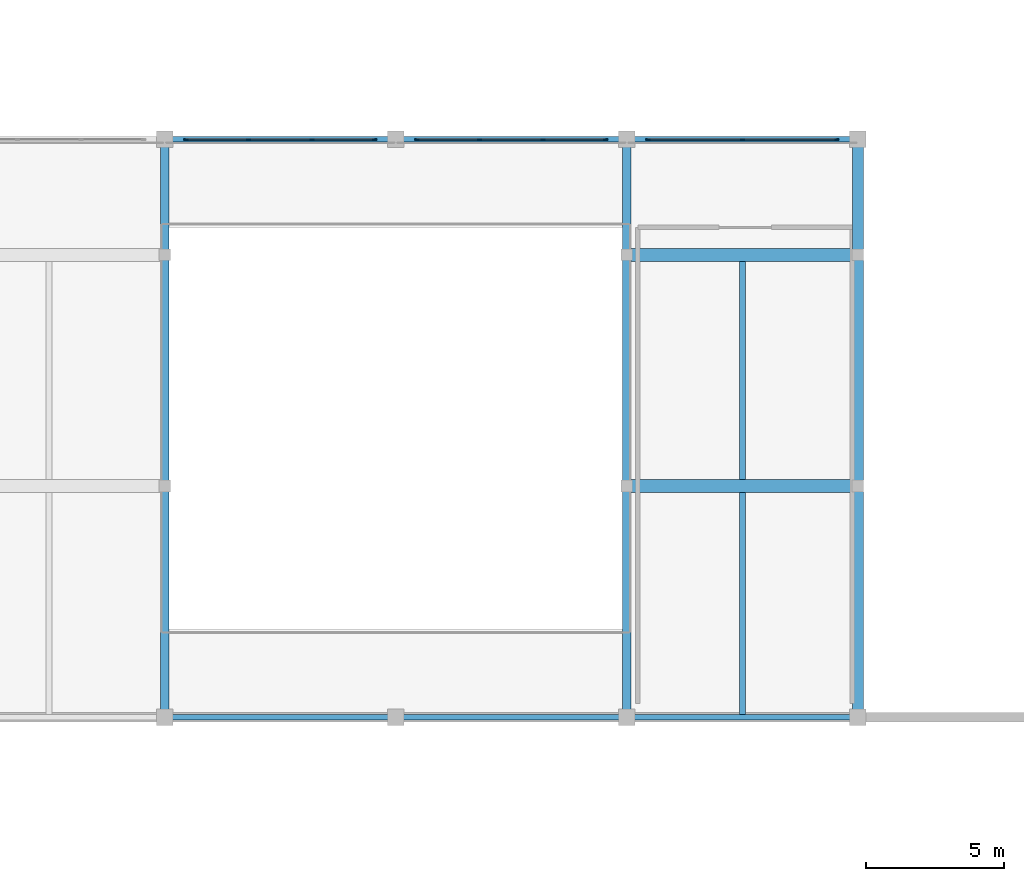
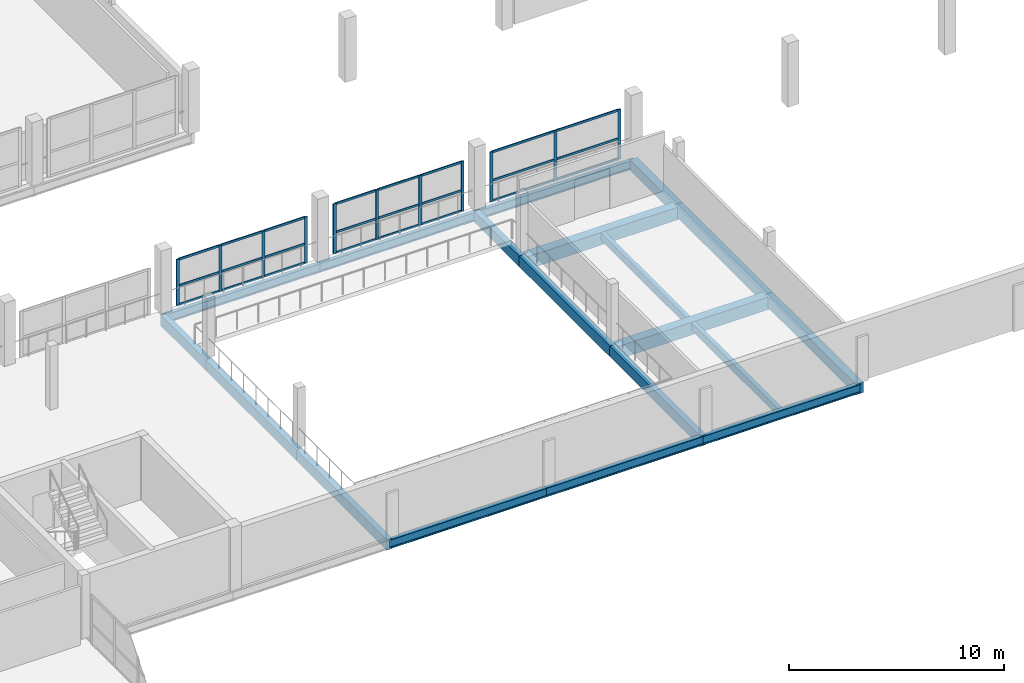
# One storey, part 24 of 51: 35 members, 19 beams, 3 elements without a shape of their own.
"""IFC4 building model written with IfcOpenShell, lengths in metres."""

from ifc_helpers import new_model, si_unit, direction, frame, origin, origin_2d, place, context, subcontext, project, spatial, rectangle, i_section, extrude, material, material_profile, profile_set, type_object, element, aggregate, save


model = new_model("IFC4")

# Units and contexts
model_context = context("Model", 3, precision=1e-05, world=origin(), true_north=direction((0.0, 1.0)))
body_context = subcontext(model_context, "Body", "Model", "MODEL_VIEW")
ifc_project = project(units=[si_unit("LENGTHUNIT", "METRE"), si_unit("AREAUNIT", "SQUARE_METRE"), si_unit("VOLUMEUNIT", "CUBIC_METRE"), si_unit("PLANEANGLEUNIT", "RADIAN"), si_unit("MASSUNIT", "GRAM", prefix="KILO")], contexts=[model_context])

# Site, building, storey
site_placement = place(None, origin())
site = spatial("IfcSite", under=ifc_project, at=site_placement, CompositionType="ELEMENT")
building_placement = place(site_placement, origin())
building = spatial("IfcBuilding", under=site, at=building_placement, Name="Vharandega Faculty of Natural Sciences", CompositionType="ELEMENT")
storey_placement = place(building_placement, frame((0.0, 0.0, 14.39990234375)))
storey = spatial("IfcBuildingStorey", under=building, at=storey_placement, Name="L03", CompositionType="ELEMENT", Elevation=14.39990234375)

# Curtain wall, members
ifc_material_1 = material(Name="Aluminium and solar-control glass curtain wall", Category="aluminium")
curtain_wall_type_1 = type_object("IfcCurtainWallType", Name="Unitised Curtain Wall System CW-16", PredefinedType="NOTDEFINED", material=ifc_material_1)
curtain_wall_1_placement = place(storey_placement, origin())
curtain_wall_1 = element("IfcCurtainWall", 1, at=curtain_wall_1_placement, inside=storey, type_object=curtain_wall_type_1, Name="Curtain Wall CW-L03-099", PredefinedType="NOTDEFINED")
ifc_material_2 = material(Name="Thermally broken aluminium 6063-T6", Category="aluminium")
ifc_material_profile_1 = material_profile(ifc_material_2, rectangle(XDim=0.06005859375, YDim=0.159912109375, at=origin_2d()), Name="ALU 60x160")
ifc_profile_set_1 = profile_set([ifc_material_profile_1], Name="Thermally broken aluminium 6063-T6")
member_type_1 = type_object("IfcMemberType", Name="CW Mullion 60x160", PredefinedType="MULLION", material=ifc_profile_set_1)
member_1_placement = place(storey_placement, frame((65.169921875, 85.0, 0.0), z_axis=(0.0, 0.0, 1.0), x_axis=(0.0, 1.0, 0.0)))
member_1 = element("IfcMember", 2, at=member_1_placement, type_object=member_type_1, Name="CW-16 mullion 1", PredefinedType="MULLION", context=body_context, shape_type="SweptSolid", body=[
    extrude(rectangle(XDim=0.06005859375, YDim=0.159912109375, at=origin_2d()), origin(), (0.0, 0.0, 1.0), 2.6201171875),
])
member_2_placement = place(storey_placement, frame((67.44677734375, 85.0, 0.0), z_axis=(0.0, 0.0, 1.0), x_axis=(0.0, 1.0, 0.0)))
member_2 = element("IfcMember", 3, at=member_2_placement, type_object=member_type_1, Name="CW-16 mullion 2", PredefinedType="MULLION", context=body_context, shape_type="SweptSolid", body=[
    extrude(rectangle(XDim=0.06005859375, YDim=0.159912109375, at=origin_2d()), origin(), (0.0, 0.0, 1.0), 2.6201171875),
])
member_3_placement = place(storey_placement, frame((69.75341796875, 85.0, 0.0), z_axis=(0.0, 0.0, 1.0), x_axis=(0.0, 1.0, 0.0)))
member_3 = element("IfcMember", 4, at=member_3_placement, type_object=member_type_1, Name="CW-16 mullion 3", PredefinedType="MULLION", context=body_context, shape_type="SweptSolid", body=[
    extrude(rectangle(XDim=0.06005859375, YDim=0.159912109375, at=origin_2d()), origin(), (0.0, 0.0, 1.0), 2.6201171875),
])
member_4_placement = place(storey_placement, frame((72.030029296875, 85.0, 0.0), z_axis=(0.0, 0.0, 1.0), x_axis=(0.0, 1.0, 0.0)))
member_4 = element("IfcMember", 5, at=member_4_placement, type_object=member_type_1, Name="CW-16 mullion 4", PredefinedType="MULLION", context=body_context, shape_type="SweptSolid", body=[
    extrude(rectangle(XDim=0.06005859375, YDim=0.159912109375, at=origin_2d()), origin(), (0.0, 0.0, 1.0), 2.6201171875),
])

ifc_material_3 = material(Name="Aluminium and solar-control glass curtain wall", Category="aluminium")
curtain_wall_type_2 = type_object("IfcCurtainWallType", Name="Unitised Curtain Wall System CW-17", PredefinedType="NOTDEFINED", material=ifc_material_3)
curtain_wall_2_placement = place(storey_placement, origin())
curtain_wall_2 = element("IfcCurtainWall", 6, at=curtain_wall_2_placement, inside=storey, type_object=curtain_wall_type_2, Name="Curtain Wall CW-L03-100", PredefinedType="NOTDEFINED")
member_5_placement = place(storey_placement, frame((73.570068359375, 85.0, 0.0), z_axis=(0.0, 0.0, 1.0), x_axis=(0.0, 1.0, 0.0)))
member_5 = element("IfcMember", 7, at=member_5_placement, type_object=member_type_1, Name="CW-17 mullion 1", PredefinedType="MULLION", context=body_context, shape_type="SweptSolid", body=[
    extrude(rectangle(XDim=0.06005859375, YDim=0.159912109375, at=origin_2d()), origin(), (0.0, 0.0, 1.0), 2.820068359375),
])
member_6_placement = place(storey_placement, frame((75.8466796875, 85.0, 0.0), z_axis=(0.0, 0.0, 1.0), x_axis=(0.0, 1.0, 0.0)))
member_6 = element("IfcMember", 8, at=member_6_placement, type_object=member_type_1, Name="CW-17 mullion 2", PredefinedType="MULLION", context=body_context, shape_type="SweptSolid", body=[
    extrude(rectangle(XDim=0.06005859375, YDim=0.159912109375, at=origin_2d()), origin(), (0.0, 0.0, 1.0), 2.820068359375),
])
member_7_placement = place(storey_placement, frame((78.1533203125, 85.0, 0.0), z_axis=(0.0, 0.0, 1.0), x_axis=(0.0, 1.0, 0.0)))
member_7 = element("IfcMember", 9, at=member_7_placement, type_object=member_type_1, Name="CW-17 mullion 3", PredefinedType="MULLION", context=body_context, shape_type="SweptSolid", body=[
    extrude(rectangle(XDim=0.06005859375, YDim=0.159912109375, at=origin_2d()), origin(), (0.0, 0.0, 1.0), 2.820068359375),
])
member_8_placement = place(storey_placement, frame((80.429931640625, 85.0, 0.0), z_axis=(0.0, 0.0, 1.0), x_axis=(0.0, 1.0, 0.0)))
member_8 = element("IfcMember", 10, at=member_8_placement, type_object=member_type_1, Name="CW-17 mullion 4", PredefinedType="MULLION", context=body_context, shape_type="SweptSolid", body=[
    extrude(rectangle(XDim=0.06005859375, YDim=0.159912109375, at=origin_2d()), origin(), (0.0, 0.0, 1.0), 2.820068359375),
])

ifc_material_4 = material(Name="Aluminium and solar-control glass curtain wall", Category="aluminium")
curtain_wall_type_3 = type_object("IfcCurtainWallType", Name="Unitised Curtain Wall System CW-18", PredefinedType="NOTDEFINED", material=ifc_material_4)
curtain_wall_3_placement = place(storey_placement, origin())
curtain_wall_3 = element("IfcCurtainWall", 11, at=curtain_wall_3_placement, inside=storey, type_object=curtain_wall_type_3, Name="Curtain Wall CW-L03-101", PredefinedType="NOTDEFINED")
member_9_placement = place(storey_placement, frame((81.969970703125, 85.0, 0.0), z_axis=(0.0, 0.0, 1.0), x_axis=(0.0, 1.0, 0.0)))
member_9 = element("IfcMember", 12, at=member_9_placement, type_object=member_type_1, Name="CW-18 mullion 1", PredefinedType="MULLION", context=body_context, shape_type="SweptSolid", body=[
    extrude(rectangle(XDim=0.06005859375, YDim=0.159912109375, at=origin_2d()), origin(), (0.0, 0.0, 1.0), 2.820068359375),
])
member_10_placement = place(storey_placement, frame((85.39990234375, 85.0, 0.0), z_axis=(0.0, 0.0, 1.0), x_axis=(0.0, 1.0, 0.0)))
member_10 = element("IfcMember", 13, at=member_10_placement, type_object=member_type_1, Name="CW-18 mullion 2", PredefinedType="MULLION", context=body_context, shape_type="SweptSolid", body=[
    extrude(rectangle(XDim=0.06005859375, YDim=0.159912109375, at=origin_2d()), origin(), (0.0, 0.0, 1.0), 2.820068359375),
])
member_11_placement = place(storey_placement, frame((88.830078125, 85.0, 0.0), z_axis=(0.0, 0.0, 1.0), x_axis=(0.0, 1.0, 0.0)))
member_11 = element("IfcMember", 14, at=member_11_placement, type_object=member_type_1, Name="CW-18 mullion 3", PredefinedType="MULLION", context=body_context, shape_type="SweptSolid", body=[
    extrude(rectangle(XDim=0.06005859375, YDim=0.159912109375, at=origin_2d()), origin(), (0.0, 0.0, 1.0), 2.820068359375),
])

# Member
ifc_material_5 = material(Name="Thermally broken aluminium 6063-T6", Category="aluminium")
ifc_material_profile_2 = material_profile(ifc_material_5, rectangle(XDim=0.06005859375, YDim=0.1201171875, at=origin_2d()), Name="ALU 60x120")
ifc_profile_set_2 = profile_set([ifc_material_profile_2], Name="Thermally broken aluminium 6063-T6")
member_type_2 = type_object("IfcMemberType", Name="CW Transom 60x120", PredefinedType="USERDEFINED", material=ifc_profile_set_2)
member_12_placement = place(storey_placement, frame((65.199951171875, 85.0, 0.030029296875), z_axis=(1.0, 0.0, 0.0), x_axis=(0.0, 1.0, 0.0)))
member_12 = element("IfcMember", 15, at=member_12_placement, type_object=member_type_2, Name="CW-16 transom 1.1", ObjectType="TRANSOM", PredefinedType="USERDEFINED", context=body_context, shape_type="SweptSolid", body=[
    extrude(rectangle(XDim=0.06005859375, YDim=0.1201171875, at=origin_2d()), origin(), (0.0, 0.0, 1.0), 2.216796875),
])

member_13_placement = place(storey_placement, frame((65.199951171875, 85.0, 1.1005859375), z_axis=(1.0, 0.0, 0.0), x_axis=(0.0, 1.0, 0.0)))
member_13 = element("IfcMember", 16, at=member_13_placement, type_object=member_type_2, Name="CW-16 transom 1.2", ObjectType="TRANSOM", PredefinedType="USERDEFINED", context=body_context, shape_type="SweptSolid", body=[
    extrude(rectangle(XDim=0.06005859375, YDim=0.1201171875, at=origin_2d()), origin(), (0.0, 0.0, 1.0), 2.216796875),
])

member_14_placement = place(storey_placement, frame((65.199951171875, 85.0, 2.590087890625), z_axis=(1.0, 0.0, 0.0), x_axis=(0.0, 1.0, 0.0)))
member_14 = element("IfcMember", 17, at=member_14_placement, type_object=member_type_2, Name="CW-16 transom 1.3", ObjectType="TRANSOM", PredefinedType="USERDEFINED", context=body_context, shape_type="SweptSolid", body=[
    extrude(rectangle(XDim=0.06005859375, YDim=0.1201171875, at=origin_2d()), origin(), (0.0, 0.0, 1.0), 2.216796875),
])

member_15_placement = place(storey_placement, frame((67.4765625, 85.0, 0.030029296875), z_axis=(1.0, 0.0, 0.0), x_axis=(0.0, 1.0, 0.0)))
member_15 = element("IfcMember", 18, at=member_15_placement, type_object=member_type_2, Name="CW-16 transom 2.1", ObjectType="TRANSOM", PredefinedType="USERDEFINED", context=body_context, shape_type="SweptSolid", body=[
    extrude(rectangle(XDim=0.06005859375, YDim=0.1201171875, at=origin_2d()), origin(), (0.0, 0.0, 1.0), 2.246826171875),
])

member_16_placement = place(storey_placement, frame((67.4765625, 85.0, 1.1005859375), z_axis=(1.0, 0.0, 0.0), x_axis=(0.0, 1.0, 0.0)))
member_16 = element("IfcMember", 19, at=member_16_placement, type_object=member_type_2, Name="CW-16 transom 2.2", ObjectType="TRANSOM", PredefinedType="USERDEFINED", context=body_context, shape_type="SweptSolid", body=[
    extrude(rectangle(XDim=0.06005859375, YDim=0.1201171875, at=origin_2d()), origin(), (0.0, 0.0, 1.0), 2.246826171875),
])

member_17_placement = place(storey_placement, frame((67.4765625, 85.0, 2.590087890625), z_axis=(1.0, 0.0, 0.0), x_axis=(0.0, 1.0, 0.0)))
member_17 = element("IfcMember", 20, at=member_17_placement, type_object=member_type_2, Name="CW-16 transom 2.3", ObjectType="TRANSOM", PredefinedType="USERDEFINED", context=body_context, shape_type="SweptSolid", body=[
    extrude(rectangle(XDim=0.06005859375, YDim=0.1201171875, at=origin_2d()), origin(), (0.0, 0.0, 1.0), 2.246826171875),
])

member_18_placement = place(storey_placement, frame((69.783447265625, 85.0, 0.030029296875), z_axis=(1.0, 0.0, 0.0), x_axis=(0.0, 1.0, 0.0)))
member_18 = element("IfcMember", 21, at=member_18_placement, type_object=member_type_2, Name="CW-16 transom 3.1", ObjectType="TRANSOM", PredefinedType="USERDEFINED", context=body_context, shape_type="SweptSolid", body=[
    extrude(rectangle(XDim=0.06005859375, YDim=0.1201171875, at=origin_2d()), origin(), (0.0, 0.0, 1.0), 2.216552734375),
])

member_19_placement = place(storey_placement, frame((69.783447265625, 85.0, 1.1005859375), z_axis=(1.0, 0.0, 0.0), x_axis=(0.0, 1.0, 0.0)))
member_19 = element("IfcMember", 22, at=member_19_placement, type_object=member_type_2, Name="CW-16 transom 3.2", ObjectType="TRANSOM", PredefinedType="USERDEFINED", context=body_context, shape_type="SweptSolid", body=[
    extrude(rectangle(XDim=0.06005859375, YDim=0.1201171875, at=origin_2d()), origin(), (0.0, 0.0, 1.0), 2.216552734375),
])

member_20_placement = place(storey_placement, frame((69.783447265625, 85.0, 2.590087890625), z_axis=(1.0, 0.0, 0.0), x_axis=(0.0, 1.0, 0.0)))
member_20 = element("IfcMember", 23, at=member_20_placement, type_object=member_type_2, Name="CW-16 transom 3.3", ObjectType="TRANSOM", PredefinedType="USERDEFINED", context=body_context, shape_type="SweptSolid", body=[
    extrude(rectangle(XDim=0.06005859375, YDim=0.1201171875, at=origin_2d()), origin(), (0.0, 0.0, 1.0), 2.216552734375),
])

aggregate(curtain_wall_1, [member_1, member_2, member_3, member_4, member_12, member_13, member_14, member_15, member_16, member_17, member_18, member_19, member_20])

member_21_placement = place(storey_placement, frame((73.60009765625, 85.0, 0.030029296875), z_axis=(1.0, 0.0, 0.0), x_axis=(0.0, 1.0, 0.0)))
member_21 = element("IfcMember", 24, at=member_21_placement, type_object=member_type_2, Name="CW-17 transom 1.1", ObjectType="TRANSOM", PredefinedType="USERDEFINED", context=body_context, shape_type="SweptSolid", body=[
    extrude(rectangle(XDim=0.06005859375, YDim=0.1201171875, at=origin_2d()), origin(), (0.0, 0.0, 1.0), 2.216552734375),
])

member_22_placement = place(storey_placement, frame((73.60009765625, 85.0, 1.1845703125), z_axis=(1.0, 0.0, 0.0), x_axis=(0.0, 1.0, 0.0)))
member_22 = element("IfcMember", 25, at=member_22_placement, type_object=member_type_2, Name="CW-17 transom 1.2", ObjectType="TRANSOM", PredefinedType="USERDEFINED", context=body_context, shape_type="SweptSolid", body=[
    extrude(rectangle(XDim=0.06005859375, YDim=0.1201171875, at=origin_2d()), origin(), (0.0, 0.0, 1.0), 2.216552734375),
])

member_23_placement = place(storey_placement, frame((73.60009765625, 85.0, 2.7900390625), z_axis=(1.0, 0.0, 0.0), x_axis=(0.0, 1.0, 0.0)))
member_23 = element("IfcMember", 26, at=member_23_placement, type_object=member_type_2, Name="CW-17 transom 1.3", ObjectType="TRANSOM", PredefinedType="USERDEFINED", context=body_context, shape_type="SweptSolid", body=[
    extrude(rectangle(XDim=0.06005859375, YDim=0.1201171875, at=origin_2d()), origin(), (0.0, 0.0, 1.0), 2.216552734375),
])

member_24_placement = place(storey_placement, frame((75.876708984375, 85.0, 0.030029296875), z_axis=(1.0, 0.0, 0.0), x_axis=(0.0, 1.0, 0.0)))
member_24 = element("IfcMember", 27, at=member_24_placement, type_object=member_type_2, Name="CW-17 transom 2.1", ObjectType="TRANSOM", PredefinedType="USERDEFINED", context=body_context, shape_type="SweptSolid", body=[
    extrude(rectangle(XDim=0.06005859375, YDim=0.1201171875, at=origin_2d()), origin(), (0.0, 0.0, 1.0), 2.24658203125),
])

member_25_placement = place(storey_placement, frame((75.876708984375, 85.0, 1.1845703125), z_axis=(1.0, 0.0, 0.0), x_axis=(0.0, 1.0, 0.0)))
member_25 = element("IfcMember", 28, at=member_25_placement, type_object=member_type_2, Name="CW-17 transom 2.2", ObjectType="TRANSOM", PredefinedType="USERDEFINED", context=body_context, shape_type="SweptSolid", body=[
    extrude(rectangle(XDim=0.06005859375, YDim=0.1201171875, at=origin_2d()), origin(), (0.0, 0.0, 1.0), 2.24658203125),
])

member_26_placement = place(storey_placement, frame((75.876708984375, 85.0, 2.7900390625), z_axis=(1.0, 0.0, 0.0), x_axis=(0.0, 1.0, 0.0)))
member_26 = element("IfcMember", 29, at=member_26_placement, type_object=member_type_2, Name="CW-17 transom 2.3", ObjectType="TRANSOM", PredefinedType="USERDEFINED", context=body_context, shape_type="SweptSolid", body=[
    extrude(rectangle(XDim=0.06005859375, YDim=0.1201171875, at=origin_2d()), origin(), (0.0, 0.0, 1.0), 2.24658203125),
])

member_27_placement = place(storey_placement, frame((78.183349609375, 85.0, 0.030029296875), z_axis=(1.0, 0.0, 0.0), x_axis=(0.0, 1.0, 0.0)))
member_27 = element("IfcMember", 30, at=member_27_placement, type_object=member_type_2, Name="CW-17 transom 3.1", ObjectType="TRANSOM", PredefinedType="USERDEFINED", context=body_context, shape_type="SweptSolid", body=[
    extrude(rectangle(XDim=0.06005859375, YDim=0.1201171875, at=origin_2d()), origin(), (0.0, 0.0, 1.0), 2.216552734375),
])

member_28_placement = place(storey_placement, frame((78.183349609375, 85.0, 1.1845703125), z_axis=(1.0, 0.0, 0.0), x_axis=(0.0, 1.0, 0.0)))
member_28 = element("IfcMember", 31, at=member_28_placement, type_object=member_type_2, Name="CW-17 transom 3.2", ObjectType="TRANSOM", PredefinedType="USERDEFINED", context=body_context, shape_type="SweptSolid", body=[
    extrude(rectangle(XDim=0.06005859375, YDim=0.1201171875, at=origin_2d()), origin(), (0.0, 0.0, 1.0), 2.216552734375),
])

member_29_placement = place(storey_placement, frame((78.183349609375, 85.0, 2.7900390625), z_axis=(1.0, 0.0, 0.0), x_axis=(0.0, 1.0, 0.0)))
member_29 = element("IfcMember", 32, at=member_29_placement, type_object=member_type_2, Name="CW-17 transom 3.3", ObjectType="TRANSOM", PredefinedType="USERDEFINED", context=body_context, shape_type="SweptSolid", body=[
    extrude(rectangle(XDim=0.06005859375, YDim=0.1201171875, at=origin_2d()), origin(), (0.0, 0.0, 1.0), 2.216552734375),
])

aggregate(curtain_wall_2, [member_5, member_6, member_7, member_8, member_21, member_22, member_23, member_24, member_25, member_26, member_27, member_28, member_29])

member_30_placement = place(storey_placement, frame((82.0, 85.0, 0.030029296875), z_axis=(1.0, 0.0, 0.0), x_axis=(0.0, 1.0, 0.0)))
member_30 = element("IfcMember", 33, at=member_30_placement, type_object=member_type_2, Name="CW-18 transom 1.1", ObjectType="TRANSOM", PredefinedType="USERDEFINED", context=body_context, shape_type="SweptSolid", body=[
    extrude(rectangle(XDim=0.06005859375, YDim=0.1201171875, at=origin_2d()), origin(), (0.0, 0.0, 1.0), 3.3701171875),
])

member_31_placement = place(storey_placement, frame((82.0, 85.0, 1.1845703125), z_axis=(1.0, 0.0, 0.0), x_axis=(0.0, 1.0, 0.0)))
member_31 = element("IfcMember", 34, at=member_31_placement, type_object=member_type_2, Name="CW-18 transom 1.2", ObjectType="TRANSOM", PredefinedType="USERDEFINED", context=body_context, shape_type="SweptSolid", body=[
    extrude(rectangle(XDim=0.06005859375, YDim=0.1201171875, at=origin_2d()), origin(), (0.0, 0.0, 1.0), 3.3701171875),
])

member_32_placement = place(storey_placement, frame((82.0, 85.0, 2.7900390625), z_axis=(1.0, 0.0, 0.0), x_axis=(0.0, 1.0, 0.0)))
member_32 = element("IfcMember", 35, at=member_32_placement, type_object=member_type_2, Name="CW-18 transom 1.3", ObjectType="TRANSOM", PredefinedType="USERDEFINED", context=body_context, shape_type="SweptSolid", body=[
    extrude(rectangle(XDim=0.06005859375, YDim=0.1201171875, at=origin_2d()), origin(), (0.0, 0.0, 1.0), 3.3701171875),
])

member_33_placement = place(storey_placement, frame((85.429931640625, 85.0, 0.030029296875), z_axis=(1.0, 0.0, 0.0), x_axis=(0.0, 1.0, 0.0)))
member_33 = element("IfcMember", 36, at=member_33_placement, type_object=member_type_2, Name="CW-18 transom 2.1", ObjectType="TRANSOM", PredefinedType="USERDEFINED", context=body_context, shape_type="SweptSolid", body=[
    extrude(rectangle(XDim=0.06005859375, YDim=0.1201171875, at=origin_2d()), origin(), (0.0, 0.0, 1.0), 3.3701171875),
])

member_34_placement = place(storey_placement, frame((85.429931640625, 85.0, 1.1845703125), z_axis=(1.0, 0.0, 0.0), x_axis=(0.0, 1.0, 0.0)))
member_34 = element("IfcMember", 37, at=member_34_placement, type_object=member_type_2, Name="CW-18 transom 2.2", ObjectType="TRANSOM", PredefinedType="USERDEFINED", context=body_context, shape_type="SweptSolid", body=[
    extrude(rectangle(XDim=0.06005859375, YDim=0.1201171875, at=origin_2d()), origin(), (0.0, 0.0, 1.0), 3.3701171875),
])

member_35_placement = place(storey_placement, frame((85.429931640625, 85.0, 2.7900390625), z_axis=(1.0, 0.0, 0.0), x_axis=(0.0, 1.0, 0.0)))
member_35 = element("IfcMember", 38, at=member_35_placement, type_object=member_type_2, Name="CW-18 transom 2.3", ObjectType="TRANSOM", PredefinedType="USERDEFINED", context=body_context, shape_type="SweptSolid", body=[
    extrude(rectangle(XDim=0.06005859375, YDim=0.1201171875, at=origin_2d()), origin(), (0.0, 0.0, 1.0), 3.3701171875),
])

aggregate(curtain_wall_3, [member_9, member_10, member_11, member_30, member_31, member_32, member_33, member_34, member_35])

# Beams
ifc_material_6 = material(Name="Glulam GL28h", Category="wood")
ifc_material_profile_3 = material_profile(ifc_material_6, rectangle(XDim=0.300048828125, YDim=0.60009765625, at=origin_2d()), Name="GL28h 300x600")
ifc_profile_set_3 = profile_set([ifc_material_profile_3], Name="Glulam GL28h")
beam_type_1 = type_object("IfcBeamType", Name="Glulam Floor Beam 300x600", PredefinedType="BEAM", material=ifc_profile_set_3)
beam_1_placement = place(storey_placement, frame((64.39990234375, 64.0, -0.539794921875), z_axis=(0.0, 1.0, 0.0), x_axis=(-1.0, 0.0, 0.0)))
element("IfcBeam", 39, at=beam_1_placement, inside=storey, type_object=beam_type_1, Name="Beam L03 9/J-K", PredefinedType="BEAM", context=body_context, shape_type="SweptSolid", body=[
    extrude(rectangle(XDim=0.300048828125, YDim=0.60009765625, at=origin_2d()), origin(), (0.0, 0.0, 1.0), 8.39990234375),
])
beam_2_placement = place(storey_placement, frame((64.39990234375, 72.39990234375, -0.539794921875), z_axis=(0.0, 1.0, 0.0), x_axis=(-1.0, 0.0, 0.0)))
element("IfcBeam", 40, at=beam_2_placement, inside=storey, type_object=beam_type_1, Name="Beam L03 9/K-L", PredefinedType="BEAM", context=body_context, shape_type="SweptSolid", body=[
    extrude(rectangle(XDim=0.300048828125, YDim=0.60009765625, at=origin_2d()), origin(), (0.0, 0.0, 1.0), 8.400146484375),
])
beam_3_placement = place(storey_placement, frame((64.39990234375, 80.800048828125, -0.539794921875), z_axis=(0.0, 1.0, 0.0), x_axis=(-1.0, 0.0, 0.0)))
element("IfcBeam", 41, at=beam_3_placement, inside=storey, type_object=beam_type_1, Name="Beam L03 9/L-M", PredefinedType="BEAM", context=body_context, shape_type="SweptSolid", body=[
    extrude(rectangle(XDim=0.300048828125, YDim=0.60009765625, at=origin_2d()), origin(), (0.0, 0.0, 1.0), 4.199951171875),
])
beam_4_placement = place(storey_placement, frame((81.199951171875, 64.0, -0.539794921875), z_axis=(0.0, 1.0, 0.0), x_axis=(-1.0, 0.0, 0.0)))
element("IfcBeam", 42, at=beam_4_placement, inside=storey, type_object=beam_type_1, Name="Beam L03 11/J-K", PredefinedType="BEAM", context=body_context, shape_type="SweptSolid", body=[
    extrude(rectangle(XDim=0.300048828125, YDim=0.60009765625, at=origin_2d()), origin(), (0.0, 0.0, 1.0), 8.39990234375),
])
beam_5_placement = place(storey_placement, frame((81.199951171875, 72.39990234375, -0.539794921875), z_axis=(0.0, 1.0, 0.0), x_axis=(-1.0, 0.0, 0.0)))
element("IfcBeam", 43, at=beam_5_placement, inside=storey, type_object=beam_type_1, Name="Beam L03 11/K-L", PredefinedType="BEAM", context=body_context, shape_type="SweptSolid", body=[
    extrude(rectangle(XDim=0.300048828125, YDim=0.60009765625, at=origin_2d()), origin(), (0.0, 0.0, 1.0), 8.400146484375),
])
beam_6_placement = place(storey_placement, frame((81.199951171875, 80.800048828125, -0.539794921875), z_axis=(0.0, 1.0, 0.0), x_axis=(-1.0, 0.0, 0.0)))
element("IfcBeam", 44, at=beam_6_placement, inside=storey, type_object=beam_type_1, Name="Beam L03 11/L-M", PredefinedType="BEAM", context=body_context, shape_type="SweptSolid", body=[
    extrude(rectangle(XDim=0.300048828125, YDim=0.60009765625, at=origin_2d()), origin(), (0.0, 0.0, 1.0), 4.199951171875),
])
ifc_material_7 = material(Name="Glulam GL32h", Category="wood")
ifc_material_profile_4 = material_profile(ifc_material_7, rectangle(XDim=0.47998046875, YDim=0.719970703125, at=origin_2d()), Name="GL32h 480x720")
ifc_profile_set_4 = profile_set([ifc_material_profile_4], Name="Glulam GL32h")
beam_type_2 = type_object("IfcBeamType", Name="Glulam Primary Girder 480x720", PredefinedType="BEAM", material=ifc_profile_set_4)
for number, where, z_axis, x_axis, name in (
    (45, (81.199951171875, 72.39990234375, -0.599853515625), (1.0, 0.0, 0.0), (0.0, 1.0, 0.0), "Beam L03 K/11-12"),
    (46, (81.199951171875, 80.800048828125, -0.599853515625), (1.0, 0.0, 0.0), (0.0, 1.0, 0.0), "Beam L03 L/11-12"),
):
    element("IfcBeam", number, at=place(storey_placement, frame(where, z_axis=z_axis, x_axis=x_axis)), inside=storey, type_object=beam_type_2, Name=name, PredefinedType="BEAM", context=body_context, shape_type="SweptSolid", body=[
        extrude(rectangle(XDim=0.47998046875, YDim=0.719970703125, at=origin_2d()), origin(), (0.0, 0.0, 1.0), 8.400146484375),
    ])
ifc_material_8 = material(Name="Glulam GL28h", Category="wood")
ifc_material_profile_5 = material_profile(ifc_material_8, rectangle(XDim=0.219970703125, YDim=0.43994140625, at=origin_2d()), Name="GL28h 220x440")
ifc_profile_set_5 = profile_set([ifc_material_profile_5], Name="Glulam GL28h")
beam_type_3 = type_object("IfcBeamType", Name="Glulam Secondary Joist 220x440", PredefinedType="JOIST", material=ifc_profile_set_5)
beam_7_placement = place(storey_placement, frame((85.39990234375, 64.10009765625, -0.4599609375), z_axis=(0.0, 1.0, 0.0), x_axis=(-1.0, 0.0, 0.0)))
element("IfcBeam", 47, at=beam_7_placement, inside=storey, type_object=beam_type_3, Name="Secondary Joist L03 11-12/J-K", PredefinedType="JOIST", context=body_context, shape_type="SweptSolid", body=[
    extrude(rectangle(XDim=0.219970703125, YDim=0.43994140625, at=origin_2d()), origin(), (0.0, 0.0, 1.0), 8.059814453125),
])
beam_8_placement = place(storey_placement, frame((85.39990234375, 72.639892578125, -0.4599609375), z_axis=(0.0, 1.0, 0.0), x_axis=(-1.0, 0.0, 0.0)))
element("IfcBeam", 48, at=beam_8_placement, inside=storey, type_object=beam_type_3, Name="Secondary Joist L03 11-12/K-L", PredefinedType="JOIST", context=body_context, shape_type="SweptSolid", body=[
    extrude(rectangle(XDim=0.219970703125, YDim=0.43994140625, at=origin_2d()), origin(), (0.0, 0.0, 1.0), 7.920166015625),
])
ifc_material_9 = material(Name="Glulam GL32h", Category="wood")
ifc_material_profile_6 = material_profile(ifc_material_9, rectangle(XDim=0.39990234375, YDim=0.60009765625, at=origin_2d()), Name="GL32h 400x600")
ifc_profile_set_6 = profile_set([ifc_material_profile_6], Name="Glulam GL32h")
beam_type_4 = type_object("IfcBeamType", Name="Glulam Spine Girder 400x600", PredefinedType="BEAM", material=ifc_profile_set_6)
beam_9_placement = place(storey_placement, frame((89.60009765625, 64.0, -0.539794921875), z_axis=(0.0, 1.0, 0.0), x_axis=(-1.0, 0.0, 0.0)))
element("IfcBeam", 49, at=beam_9_placement, inside=storey, type_object=beam_type_4, Name="Beam L03 12/J-K", PredefinedType="BEAM", context=body_context, shape_type="SweptSolid", body=[
    extrude(rectangle(XDim=0.39990234375, YDim=0.60009765625, at=origin_2d()), origin(), (0.0, 0.0, 1.0), 8.39990234375),
])
beam_10_placement = place(storey_placement, frame((89.60009765625, 72.39990234375, -0.539794921875), z_axis=(0.0, 1.0, 0.0), x_axis=(-1.0, 0.0, 0.0)))
element("IfcBeam", 50, at=beam_10_placement, inside=storey, type_object=beam_type_4, Name="Beam L03 12/K-L", PredefinedType="BEAM", context=body_context, shape_type="SweptSolid", body=[
    extrude(rectangle(XDim=0.39990234375, YDim=0.60009765625, at=origin_2d()), origin(), (0.0, 0.0, 1.0), 8.400146484375),
])
beam_11_placement = place(storey_placement, frame((89.60009765625, 80.800048828125, -0.539794921875), z_axis=(0.0, 1.0, 0.0), x_axis=(-1.0, 0.0, 0.0)))
element("IfcBeam", 51, at=beam_11_placement, inside=storey, type_object=beam_type_4, Name="Beam L03 12/L-M", PredefinedType="BEAM", context=body_context, shape_type="SweptSolid", body=[
    extrude(rectangle(XDim=0.39990234375, YDim=0.60009765625, at=origin_2d()), origin(), (0.0, 0.0, 1.0), 4.199951171875),
])
ifc_material_10 = material(Name="Steel S355", Category="steel")
ifc_material_profile_7 = material_profile(ifc_material_10, i_section(OverallWidth=0.199951171875, OverallDepth=0.5, WebThickness=0.01025390625, FlangeThickness=0.01611328125, FilletRadius=0.02099609375, at=origin_2d()), Name="IPE 500")
ifc_profile_set_7 = profile_set([ifc_material_profile_7], Name="Steel S355")
beam_type_5 = type_object("IfcBeamType", Name="Steel Spandrel Beam IPE 500", PredefinedType="SPANDREL", material=ifc_profile_set_7)
beam_12_placement = place(storey_placement, frame((64.39990234375, 64.0, -0.489990234375), z_axis=(1.0, 0.0, 0.0), x_axis=(0.0, 1.0, 0.0)))
element("IfcBeam", 52, at=beam_12_placement, inside=storey, type_object=beam_type_5, Name="Beam L03 J/9-10", PredefinedType="SPANDREL", context=body_context, shape_type="SweptSolid", body=[
    extrude(i_section(OverallWidth=0.199951171875, OverallDepth=0.5, WebThickness=0.01025390625, FlangeThickness=0.01611328125, FilletRadius=0.02099609375, at=origin_2d()), origin(), (0.0, 0.0, 1.0), 8.400146484375),
])
beam_13_placement = place(storey_placement, frame((72.800048828125, 64.0, -0.489990234375), z_axis=(1.0, 0.0, 0.0), x_axis=(0.0, 1.0, 0.0)))
element("IfcBeam", 53, at=beam_13_placement, inside=storey, type_object=beam_type_5, Name="Beam L03 J/10-11", PredefinedType="SPANDREL", context=body_context, shape_type="SweptSolid", body=[
    extrude(i_section(OverallWidth=0.199951171875, OverallDepth=0.5, WebThickness=0.01025390625, FlangeThickness=0.01611328125, FilletRadius=0.02099609375, at=origin_2d()), origin(), (0.0, 0.0, 1.0), 8.39990234375),
])
for number, where, z_axis, x_axis, name in (
    (54, (81.199951171875, 64.0, -0.489990234375), (1.0, 0.0, 0.0), (0.0, 1.0, 0.0), "Beam L03 J/11-12"),
    (55, (64.39990234375, 85.0, -0.489990234375), (1.0, 0.0, 0.0), (0.0, 1.0, 0.0), "Beam L03 M/9-10"),
):
    element("IfcBeam", number, at=place(storey_placement, frame(where, z_axis=z_axis, x_axis=x_axis)), inside=storey, type_object=beam_type_5, Name=name, PredefinedType="SPANDREL", context=body_context, shape_type="SweptSolid", body=[
        extrude(i_section(OverallWidth=0.199951171875, OverallDepth=0.5, WebThickness=0.01025390625, FlangeThickness=0.01611328125, FilletRadius=0.02099609375, at=origin_2d()), origin(), (0.0, 0.0, 1.0), 8.400146484375),
    ])
beam_14_placement = place(storey_placement, frame((72.800048828125, 85.0, -0.489990234375), z_axis=(1.0, 0.0, 0.0), x_axis=(0.0, 1.0, 0.0)))
element("IfcBeam", 56, at=beam_14_placement, inside=storey, type_object=beam_type_5, Name="Beam L03 M/10-11", PredefinedType="SPANDREL", context=body_context, shape_type="SweptSolid", body=[
    extrude(i_section(OverallWidth=0.199951171875, OverallDepth=0.5, WebThickness=0.01025390625, FlangeThickness=0.01611328125, FilletRadius=0.02099609375, at=origin_2d()), origin(), (0.0, 0.0, 1.0), 8.39990234375),
])
beam_15_placement = place(storey_placement, frame((81.199951171875, 85.0, -0.489990234375), z_axis=(1.0, 0.0, 0.0), x_axis=(0.0, 1.0, 0.0)))
element("IfcBeam", 57, at=beam_15_placement, inside=storey, type_object=beam_type_5, Name="Beam L03 M/11-12", PredefinedType="SPANDREL", context=body_context, shape_type="SweptSolid", body=[
    extrude(i_section(OverallWidth=0.199951171875, OverallDepth=0.5, WebThickness=0.01025390625, FlangeThickness=0.01611328125, FilletRadius=0.02099609375, at=origin_2d()), origin(), (0.0, 0.0, 1.0), 8.400146484375),
])

save(model, "model.ifc")
